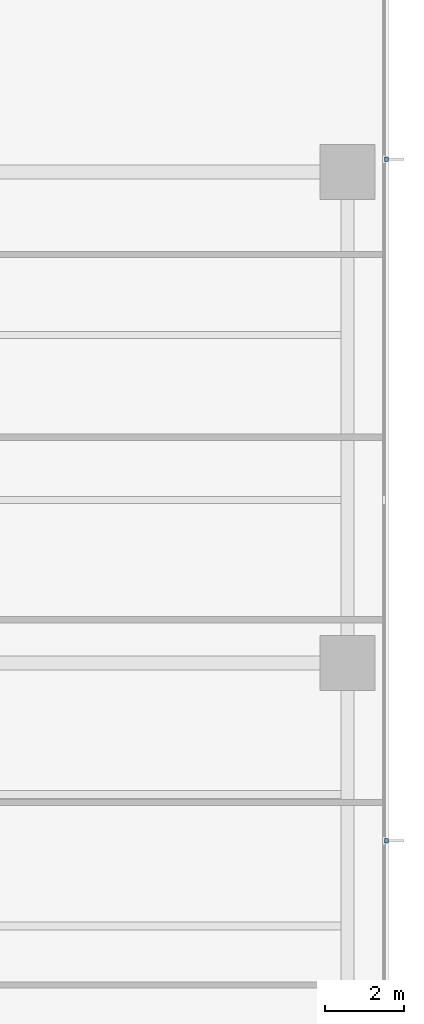
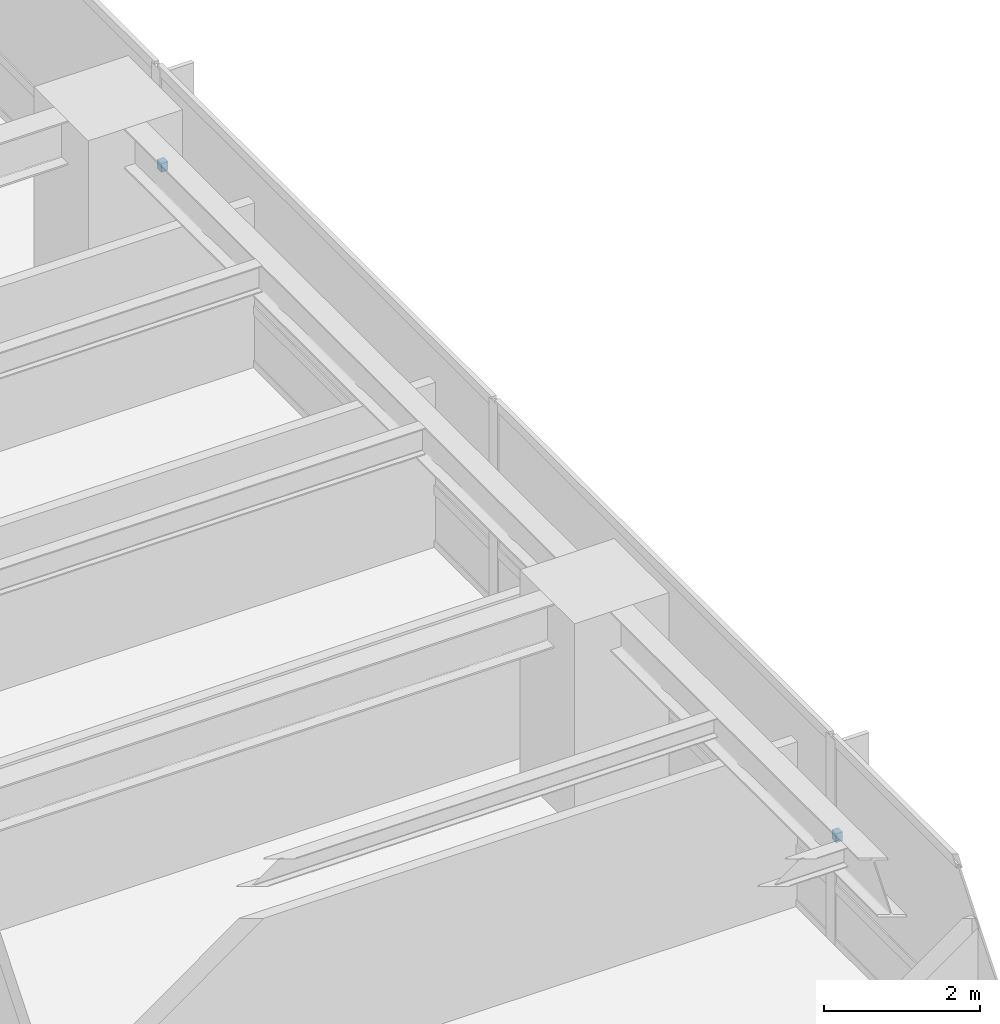
# One storey, part 13 of 16: 2 discrete accessories.
"""IFC4 building model written with IfcOpenShell, lengths in metres."""

import ifcopenshell
import ifcopenshell.guid

model = None  # the IFC model being written
_history = None  # IfcOwnerHistory: only IFC2X3 demands one
_inside = {}  # id of a spatial element -> (the spatial element, [elements in it])
_under = {}  # id of a project, library or spatial element -> (it, [spatial elements below it])
_declared = {}  # id of a project -> (the project, [libraries it declares])
_typed = {}  # id of a type object -> (the type object, [elements of that type])
_made_of = {}  # id of a material, layer set ... -> (it, [elements and type objects made of it])


def new_model(schema):
    """Start an empty IFC model of exactly this schema.

    Asked for "IFC4X3", IfcOpenShell would pick the latest addendum, in which some entities
    have other attributes; the version numbers below select the first issue.
    IFC2X3 requires an IfcOwnerHistory on every rooted entity: one is made here for all.
    """
    global model, _history
    if schema == "IFC4X3":
        model = ifcopenshell.file(schema_version=(4, 3, 0, 0))
    else:
        model = ifcopenshell.file(schema=schema)
    _inside.clear()
    _under.clear()
    _declared.clear()
    _typed.clear()
    _made_of.clear()
    _history = None
    if model.schema == "IFC2X3":
        org = make("IfcOrganization", Name="unknown")
        user = make(
            "IfcPersonAndOrganization",
            ThePerson=make("IfcPerson", FamilyName="unknown"),
            TheOrganization=org,
        )
        app = make(
            "IfcApplication",
            ApplicationDeveloper=org,
            Version="unknown",
            ApplicationFullName="unknown",
            ApplicationIdentifier="unknown",
        )
        _history = make(
            "IfcOwnerHistory",
            OwningUser=user,
            OwningApplication=app,
            ChangeAction="ADDED",
            CreationDate=0,
        )
    return model


def make(cls, **values):
    """One entity of the class cls with the attributes given. An attribute that is None is left unset."""
    return model.create_entity(
        cls, **{name: value for name, value in values.items() if value is not None}
    )


def rooted(cls, **values):
    """An entity with a GlobalId (a new one), such as an element, a storey or a relation."""
    return make(cls, GlobalId=ifcopenshell.guid.new(), OwnerHistory=_history, **values)


def si_unit(unit_type, name, prefix=None):
    """IfcSIUnit, for example si_unit("LENGTHUNIT", "METRE", prefix="MILLI")."""
    return make("IfcSIUnit", UnitType=unit_type, Prefix=prefix, Name=name)


def assignment(units):
    """IfcUnitAssignment: the units of a project."""
    return None if units is None else make("IfcUnitAssignment", Units=units)


def point(xyz):
    """IfcCartesianPoint."""
    return None if xyz is None else make("IfcCartesianPoint", Coordinates=xyz)


def direction(xyz):
    """IfcDirection."""
    return None if xyz is None else make("IfcDirection", DirectionRatios=xyz)


def frame(location, z_axis=None, x_axis=None):
    """IfcAxis2Placement3D, a coordinate frame: its origin and axes. An axis left out is left unset."""
    return make(
        "IfcAxis2Placement3D",
        Location=point(location),
        Axis=direction(z_axis),
        RefDirection=direction(x_axis),
    )


def origin():
    """The frame at (0, 0, 0) with its axes left unset."""
    return frame((0.0, 0.0, 0.0))


def place(relative_to, where):
    """IfcLocalPlacement: puts the frame where relative to a parent placement (None: the world)."""
    return make(
        "IfcLocalPlacement", PlacementRelTo=relative_to, RelativePlacement=where
    )


def context(
    kind, dimensions, precision=None, world=None, true_north=None, identifier=None
):
    """IfcGeometricRepresentationContext, for example the 3D "Model" context."""
    return make(
        "IfcGeometricRepresentationContext",
        ContextIdentifier=identifier,
        ContextType=kind,
        CoordinateSpaceDimension=dimensions,
        Precision=precision,
        WorldCoordinateSystem=world,
        TrueNorth=true_north,
    )


def subcontext(parent, identifier, kind, view, scale=None):
    """IfcGeometricRepresentationSubContext, for example "Body" below "Model"."""
    return make(
        "IfcGeometricRepresentationSubContext",
        ContextIdentifier=identifier,
        ContextType=kind,
        ParentContext=parent,
        TargetScale=scale,
        TargetView=view,
    )


def project(units=None, contexts=None):
    """IfcProject with its units and contexts."""
    return rooted(
        "IfcProject",
        Name="project",
        RepresentationContexts=contexts,
        UnitsInContext=assignment(units),
    )


def spatial(cls, under=None, at=None, **own):
    """A site, building, storey or space (cls), placed at a placement, below another one or the project."""
    s = rooted(cls, ObjectPlacement=at, **own)
    if under is not None:
        _under.setdefault(under.id(), (under, []))[1].append(s)
    return s


def polyline(points):
    """IfcPolyline through the points."""
    return make("IfcPolyline", Points=[point(p) for p in points])


def outline(outer, holes=None, kind="AREA"):
    """IfcArbitraryClosedProfileDef: a profile drawn as a closed curve; with holes, ...WithVoids."""
    if holes is None:
        return make("IfcArbitraryClosedProfileDef", ProfileType=kind, OuterCurve=outer)
    return make(
        "IfcArbitraryProfileDefWithVoids",
        ProfileType=kind,
        OuterCurve=outer,
        InnerCurves=holes,
    )


def extrude(swept, where, along, depth):
    """IfcExtrudedAreaSolid: the profile swept, set in the frame where, extruded along a direction by depth."""
    return make(
        "IfcExtrudedAreaSolid",
        SweptArea=swept,
        Position=where,
        ExtrudedDirection=direction(along),
        Depth=depth,
    )


def shape(context_of_items, identifier, shape_type, items):
    """IfcShapeRepresentation: the items that make up one representation, for example the "Body"."""
    return make(
        "IfcShapeRepresentation",
        ContextOfItems=context_of_items,
        RepresentationIdentifier=identifier,
        RepresentationType=shape_type,
        Items=items,
    )


def material(Name=None, Category=None):
    """IfcMaterial."""
    return make("IfcMaterial", Name=Name, Category=Category)


def made_of(thing, what):
    """Note that an element or type object is made of a material, layer set ...; save() writes the relation."""
    if what is not None:
        _made_of.setdefault(what.id(), (what, []))[1].append(thing)
    return thing


def type_object(cls, material=None, **own):
    """A type object (cls), such as IfcWallType, which elements share."""
    return made_of(rooted(cls, **own), material)


def element(
    cls,
    number,
    at=None,
    inside=None,
    cuts=None,
    type_object=None,
    material=None,
    context=None,
    identifier="Body",
    shape_type=None,
    held_by="IfcProductDefinitionShape",
    body=None,
    shapes=None,
    **own,
):
    """One element of the class cls, such as IfcWall. Its Tag is "e" and its number.

    at: its placement. inside: the storey or other place that contains it. cuts: it is an
    opening in that element (IfcRelVoidsElement). A single representation is given by context,
    identifier, shape_type and body (its items); several are given by shapes. held_by: the class
    of the entity that holds the representations. save() writes the other relations.
    """
    e = rooted(cls, Tag="e%d" % number, ObjectPlacement=at, **own)
    if body is not None:
        shapes = [shape(context, identifier, shape_type, body)]
    if shapes is not None:
        e.Representation = make(held_by, Representations=shapes)
    if inside is not None:
        _inside.setdefault(inside.id(), (inside, []))[1].append(e)
    if cuts is not None:
        rooted(
            "IfcRelVoidsElement", RelatingBuildingElement=cuts, RelatedOpeningElement=e
        )
    if type_object is not None:
        _typed.setdefault(type_object.id(), (type_object, []))[1].append(e)
    return made_of(e, material)


def aggregate(whole, parts):
    """IfcRelAggregates: a whole, such as a stair, and the parts it consists of."""
    return rooted("IfcRelAggregates", RelatingObject=whole, RelatedObjects=parts)


def save(model, path):
    """Write the relations noted so far, then the file.

    IfcRelAggregates (storeys below a building ...), IfcRelContainedInSpatialStructure (elements
    in a storey), IfcRelDefinesByType, IfcRelAssociatesMaterial and IfcRelDeclares: one each for
    every whole, place, type object, material and project.
    """
    for whole, parts in _under.values():
        aggregate(whole, parts)
    for where, things in _inside.values():
        rooted(
            "IfcRelContainedInSpatialStructure",
            RelatedElements=things,
            RelatingStructure=where,
        )
    for kind, things in _typed.values():
        rooted("IfcRelDefinesByType", RelatedObjects=things, RelatingType=kind)
    for what, things in _made_of.values():
        rooted("IfcRelAssociatesMaterial", RelatedObjects=things, RelatingMaterial=what)
    for by, libraries in _declared.values():
        rooted("IfcRelDeclares", RelatingContext=by, RelatedDefinitions=libraries)
    model.write(path)


model = new_model("IFC4")

# Units and contexts
model_context = context("Model", 3, precision=1e-05, world=origin(), true_north=direction((0.0, 1.0)))
body_context = subcontext(model_context, "Body", "Model", "MODEL_VIEW")
ifc_project = project(units=[si_unit("LENGTHUNIT", "METRE"), si_unit("AREAUNIT", "SQUARE_METRE"), si_unit("VOLUMEUNIT", "CUBIC_METRE"), si_unit("PLANEANGLEUNIT", "RADIAN"), si_unit("MASSUNIT", "GRAM", prefix="KILO")], contexts=[model_context])

# Site, building, storey
site_placement = place(None, origin())
site = spatial("IfcSite", under=ifc_project, at=site_placement, CompositionType="ELEMENT")
building_placement = place(site_placement, origin())
building = spatial("IfcBuilding", under=site, at=building_placement, Name="Qalmaran Belvedere Hotel", CompositionType="ELEMENT")
storey_placement = place(building_placement, frame((0.0, 0.0, 57.89990234375)))
storey = spatial("IfcBuildingStorey", under=building, at=storey_placement, Name="L14", CompositionType="ELEMENT", Elevation=57.89990234375)

# Discrete accessories
ifc_material = material(Name="Stainless Steel 1.4401", Category="steel")
discrete_accessory_type = type_object("IfcDiscreteAccessoryType", Name="BRK-FIN-SS316", PredefinedType="BRACKET", material=ifc_material)
discrete_accessory_1_placement = place(storey_placement, frame((0.0, 0.0, 1.56005859375)))
element("IfcDiscreteAccessory", 1, at=discrete_accessory_1_placement, inside=storey, type_object=discrete_accessory_type, Name="L14 Fin Bracket 1", PredefinedType="BRACKET", context=body_context, shape_type="SweptSolid", body=[
    extrude(outline(polyline([(61.695068359375, 15.919921875), (61.79248046875, 15.919921875), (61.79248046875, 16.030029296875), (61.695068359375, 16.030029296875), (61.695068359375, 15.919921875)])), origin(), (0.0, 0.0, 1.0), 0.14013671875),
])
discrete_accessory_2_placement = place(storey_placement, frame((0.0, 0.0, 1.56005859375)))
element("IfcDiscreteAccessory", 2, at=discrete_accessory_2_placement, inside=storey, type_object=discrete_accessory_type, Name="L14 Fin Bracket 3", PredefinedType="BRACKET", context=body_context, shape_type="SweptSolid", body=[
    extrude(outline(polyline([(61.695068359375, 33.27001953125), (61.79248046875, 33.27001953125), (61.79248046875, 33.3798828125), (61.695068359375, 33.3798828125), (61.695068359375, 33.27001953125)])), origin(), (0.0, 0.0, 1.0), 0.14013671875),
])

save(model, "model.ifc")
